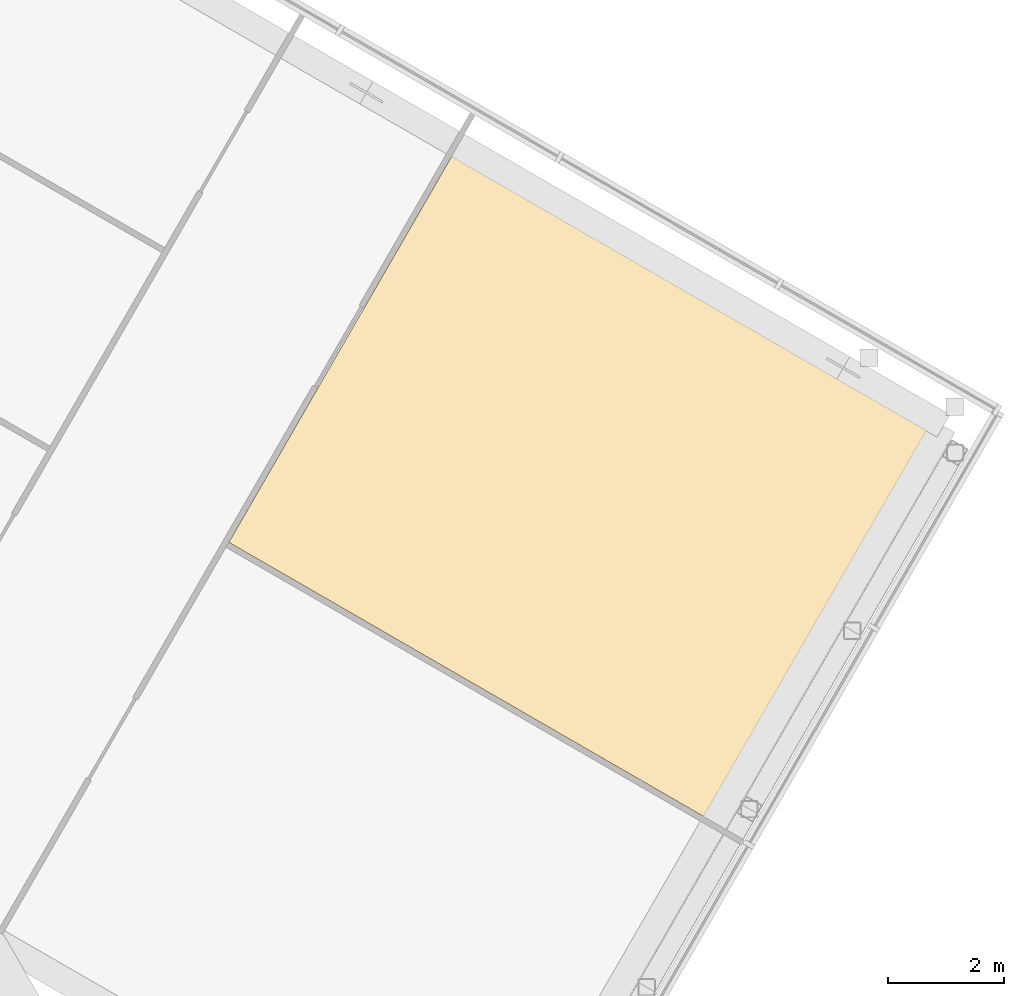
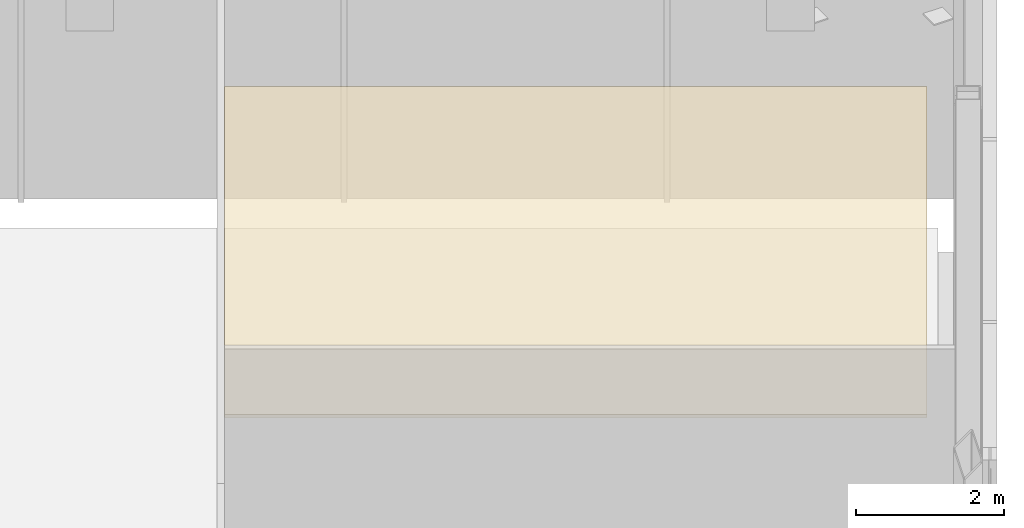
# One storey, part 25 of 25: 1 covering.
"""IFC4 building model written with IfcOpenShell, lengths in metres."""

from ifc_helpers import new_model, si_unit, direction, frame, origin, place, context, subcontext, project, spatial, polyline, outline, extrude, material, layer, layer_set, type_object, element, save


model = new_model("IFC4")

# Units and contexts
model_context = context("Model", 3, precision=1e-05, world=origin(), true_north=direction((0.0, 1.0)))
body_context = subcontext(model_context, "Body", "Model", "MODEL_VIEW")
ifc_project = project(units=[si_unit("LENGTHUNIT", "METRE"), si_unit("AREAUNIT", "SQUARE_METRE"), si_unit("VOLUMEUNIT", "CUBIC_METRE"), si_unit("PLANEANGLEUNIT", "RADIAN"), si_unit("MASSUNIT", "GRAM", prefix="KILO")], contexts=[model_context])

# Site, building, storey
site_placement = place(None, origin())
site = spatial("IfcSite", under=ifc_project, at=site_placement, CompositionType="ELEMENT")
building_placement = place(site_placement, origin())
building = spatial("IfcBuilding", under=site, at=building_placement, Name="Ayvan Gate Tower", CompositionType="ELEMENT")
storey_placement = place(building_placement, frame((0.0, 0.0, 139.89990234375)))
storey = spatial("IfcBuildingStorey", under=building, at=storey_placement, Name="L37", CompositionType="ELEMENT", Elevation=139.89990234375)

# Covering
ifc_material = material(Name="Plasterboard suspended ceiling")
ifc_layer = layer(ifc_material, 0.050048828125)
ifc_layer_set = layer_set([ifc_layer], Name="Plasterboard suspended ceiling")
covering_type = type_object("IfcCoveringType", Name="CT-SUSP-50", PredefinedType="CEILING", material=ifc_layer_set)
covering_placement = place(storey_placement, frame((0.0, 0.0, 2.400146484375)))
element("IfcCovering", 1, at=covering_placement, inside=storey, type_object=covering_type, Name="Ceiling Gym L37", PredefinedType="CEILING", context=body_context, shape_type="SweptSolid", body=[
    extrude(outline(polyline([(26.97998046875, 23.58349609375), (35.22998046875, 18.8203125), (31.351806640625, 12.102783203125), (23.1015625, 16.8662109375), (26.97998046875, 23.58349609375)])), origin(), (0.0, 0.0, 1.0), 0.050048828125),
])

save(model, "model.ifc")
